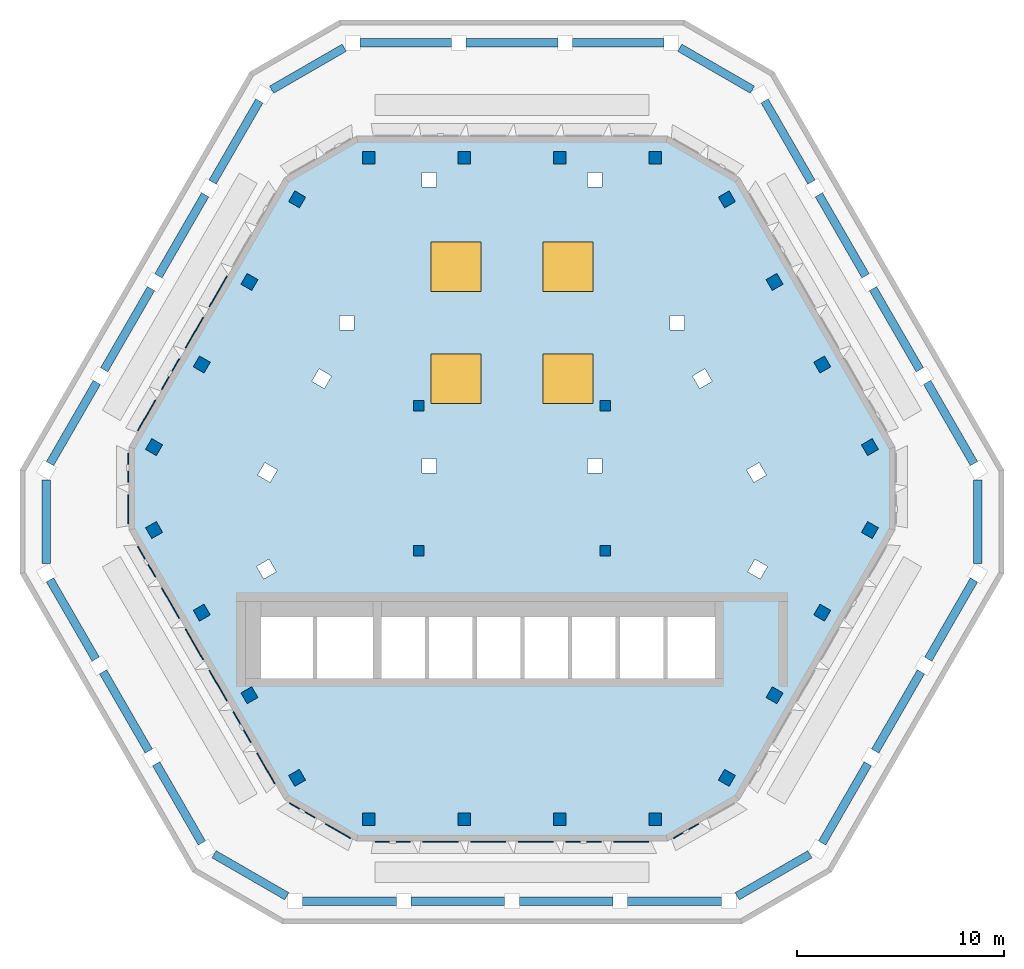
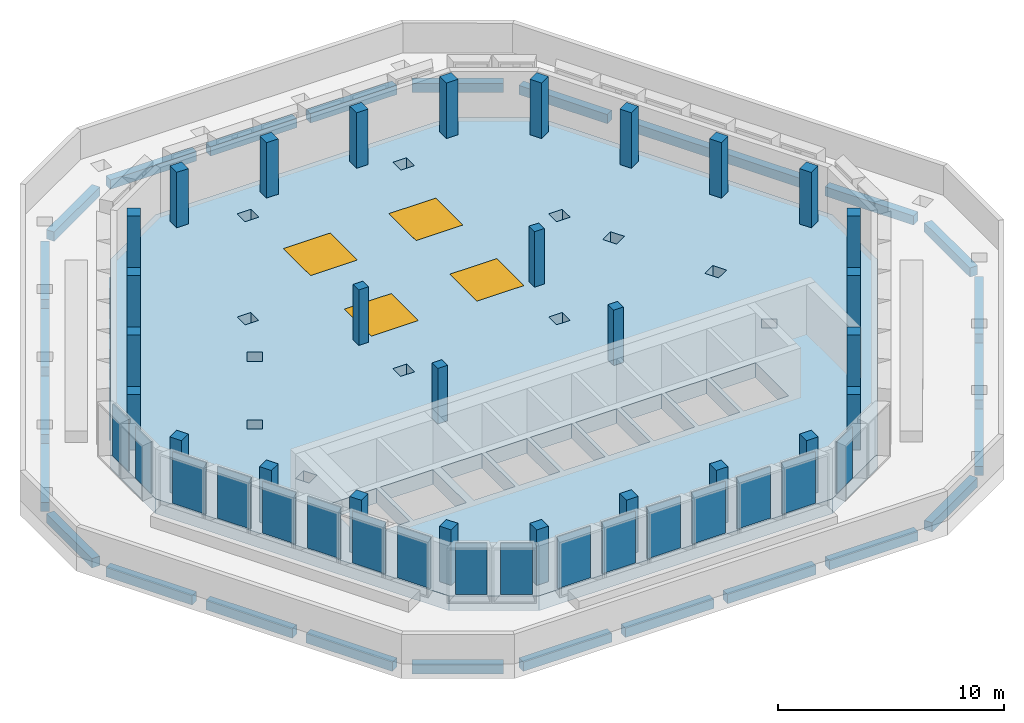
"""IFC4 building model written with IfcOpenShell, lengths in metres."""

from ifc_helpers import new_model, si_unit, direction, frame, origin, origin_2d, place, context, subcontext, project, spatial, polyline, rectangle, outline, extrude, source, transform, mapped, material, layer, layer_set, material_profile, profile_set, type_object, type_shapes, element, fill, save


model = new_model("IFC4")

# Units and contexts
model_context = context("Model", 3, precision=1e-05, world=origin(), true_north=direction((0.0, 1.0)))
body_context = subcontext(model_context, "Body", "Model", "MODEL_VIEW")
ifc_project = project(units=[si_unit("LENGTHUNIT", "METRE"), si_unit("AREAUNIT", "SQUARE_METRE"), si_unit("VOLUMEUNIT", "CUBIC_METRE"), si_unit("PLANEANGLEUNIT", "RADIAN"), si_unit("MASSUNIT", "GRAM", prefix="KILO")], contexts=[model_context])

# Site, building, storey
site_placement = place(None, origin())
site = spatial("IfcSite", under=ifc_project, at=site_placement, CompositionType="ELEMENT")
building_placement = place(site_placement, origin())
building = spatial("IfcBuilding", under=site, at=building_placement, Name="Beryl Residences", CompositionType="ELEMENT")
storey_1_placement = place(building_placement, frame((0.0, 0.0, 244.800048828125)))
storey_1 = spatial("IfcBuildingStorey", under=building, at=storey_1_placement, Name="L76", CompositionType="ELEMENT", Elevation=244.800048828125)

# Columns
ifc_material_1 = material(Name="Concrete C50/60", Category="concrete")
ifc_material_profile_1 = material_profile(ifc_material_1, rectangle(XDim=0.60009765625, YDim=0.60009765625, at=origin_2d()))
ifc_profile_set_1 = profile_set([ifc_material_profile_1], Name="Concrete C50/60")
column_type_1 = type_object("IfcColumnType", Name="C6 tube column 600 x 600 C50/60", PredefinedType="COLUMN", material=ifc_profile_set_1)
for number, where, z_axis, x_axis, name in (
    (1, (6.89990234375, 15.949951171875, 0.0), (0.0, 0.0, 1.0), (-1.0, 0.0, 0.0), "C6-N1 L76"),
    (2, (2.300048828125, 15.949951171875, 0.0), (0.0, 0.0, 1.0), (-1.0, 0.0, 0.0), "C6-N2 L76"),
    (3, (-2.300048828125, 15.949951171875, 0.0), (0.0, 0.0, 1.0), (-1.0, 0.0, 0.0), "C6-N3 L76"),
    (4, (-6.89990234375, 15.949951171875, 0.0), (0.0, 0.0, 1.0), (-1.0, 0.0, 0.0), "C6-N4 L76"),
    (5, (-10.364013671875, 13.949951171875, 0.0), (0.0, 0.0, 1.0), (-0.5, -0.866025403784, 0.0), "C6-NW1 L76"),
    (6, (-12.6640625, 9.967041015625, 0.0), (0.0, 0.0, 1.0), (-0.5, -0.866025403784, 0.0), "C6-NW2 L76"),
    (7, (-14.962890625, 5.98388671875, 0.0), (0.0, 0.0, 1.0), (-0.5, -0.866025403784, 0.0), "C6-NW3 L76"),
    (8, (-17.262939453125, 2.0009765625, 0.0), (0.0, 0.0, 1.0), (-0.5, -0.866025403784, 0.0), "C6-NW4 L76"),
    (9, (-17.262939453125, -2.0, 0.0), (0.0, 0.0, 1.0), (0.5, -0.866025403784, 0.0), "C6-SW1 L76"),
    (10, (-14.964111328125, -5.98291015625, 0.0), (0.0, 0.0, 1.0), (0.5, -0.866025403784, 0.0), "C6-SW2 L76"),
    (11, (-12.6640625, -9.966064453125, 0.0), (0.0, 0.0, 1.0), (0.5, -0.866025403784, 0.0), "C6-SW3 L76"),
    (12, (-10.364990234375, -13.948974609375, 0.0), (0.0, 0.0, 1.0), (0.5, -0.866025403784, 0.0), "C6-SW4 L76"),
    (13, (-6.89990234375, -15.949951171875, 0.0), (0.0, 0.0, 1.0), (1.0, 0.0, 0.0), "C6-S1 L76"),
    (14, (-2.300048828125, -15.949951171875, 0.0), (0.0, 0.0, 1.0), (1.0, 0.0, 0.0), "C6-S2 L76"),
    (15, (2.300048828125, -15.949951171875, 0.0), (0.0, 0.0, 1.0), (1.0, 0.0, 0.0), "C6-S3 L76"),
    (16, (6.89990234375, -15.949951171875, 0.0), (0.0, 0.0, 1.0), (1.0, 0.0, 0.0), "C6-S4 L76"),
    (17, (10.364013671875, -13.949951171875, 0.0), (0.0, 0.0, 1.0), (0.5, 0.866025403784, 0.0), "C6-SE1 L76"),
    (18, (12.6640625, -9.967041015625, 0.0), (0.0, 0.0, 1.0), (0.5, 0.866025403784, 0.0), "C6-SE2 L76"),
    (19, (14.962890625, -5.98388671875, 0.0), (0.0, 0.0, 1.0), (0.5, 0.866025403784, 0.0), "C6-SE3 L76"),
    (20, (17.262939453125, -2.0009765625, 0.0), (0.0, 0.0, 1.0), (0.5, 0.866025403784, 0.0), "C6-SE4 L76"),
    (21, (17.262939453125, 2.0, 0.0), (0.0, 0.0, 1.0), (-0.5, 0.866025403784, 0.0), "C6-NE1 L76"),
    (22, (14.964111328125, 5.98291015625, 0.0), (0.0, 0.0, 1.0), (-0.5, 0.866025403784, 0.0), "C6-NE2 L76"),
    (23, (12.6640625, 9.966064453125, 0.0), (0.0, 0.0, 1.0), (-0.5, 0.866025403784, 0.0), "C6-NE3 L76"),
    (24, (10.364990234375, 13.948974609375, 0.0), (0.0, 0.0, 1.0), (-0.5, 0.866025403784, 0.0), "C6-NE4 L76"),
):
    element("IfcColumn", number, at=place(storey_1_placement, frame(where, z_axis=z_axis, x_axis=x_axis)), inside=storey_1, type_object=column_type_1, Name=name, PredefinedType="COLUMN", context=body_context, shape_type="SweptSolid", body=[
        extrude(rectangle(XDim=0.60009765625, YDim=0.60009765625, at=origin_2d()), origin(), (0.0, 0.0, 1.0), 3.0),
    ])
ifc_material_2 = material(Name="Concrete C50/60", Category="concrete")
ifc_material_profile_2 = material_profile(ifc_material_2, rectangle(XDim=0.5, YDim=0.5, at=origin_2d()))
ifc_profile_set_2 = profile_set([ifc_material_profile_2], Name="Concrete C50/60")
column_type_2 = type_object("IfcColumnType", Name="IC6 interior column 500 x 500 C50/60", PredefinedType="COLUMN", material=ifc_profile_set_2)
for number, where, z_axis, x_axis, name in (
    (25, (-4.5, 4.0, 0.0), (0.0, 0.0, 1.0), (1.0, 0.0, 0.0), "IC6-K1 L76"),
    (26, (4.5, 4.0, 0.0), (0.0, 0.0, 1.0), (1.0, 0.0, 0.0), "IC6-K2 L76"),
    (27, (-4.5, -3.0, 0.0), (0.0, 0.0, 1.0), (1.0, 0.0, 0.0), "IC6-K3 L76"),
    (28, (4.5, -3.0, 0.0), (0.0, 0.0, 1.0), (1.0, 0.0, 0.0), "IC6-K4 L76"),
):
    element("IfcColumn", number, at=place(storey_1_placement, frame(where, z_axis=z_axis, x_axis=x_axis)), inside=storey_1, type_object=column_type_2, Name=name, PredefinedType="COLUMN", context=body_context, shape_type="SweptSolid", body=[
        extrude(rectangle(XDim=0.5, YDim=0.5, at=origin_2d()), origin(), (0.0, 0.0, 1.0), 3.0),
    ])

# Beams
ifc_material_3 = material(Name="Concrete C50/60", Category="concrete")
ifc_material_profile_3 = material_profile(ifc_material_3, rectangle(XDim=0.39990234375, YDim=0.5, at=origin_2d()))
ifc_profile_set_3 = profile_set([ifc_material_profile_3], Name="Concrete C50/60")
beam_type = type_object("IfcBeamType", Name="SB5 spandrel beam 400 x 500 C50/60", PredefinedType="SPANDREL", material=ifc_profile_set_3)
beam_1_placement = place(storey_1_placement, frame((7.3291015625, 21.5, -1.050048828125), z_axis=(-1.0, 0.0, 0.0), x_axis=(0.0, -1.0, 0.0)))
element("IfcBeam", 29, at=beam_1_placement, inside=storey_1, type_object=beam_type, Name="SB5 L76 N-0", PredefinedType="SPANDREL", context=body_context, shape_type="SweptSolid", body=[
    extrude(rectangle(XDim=0.39990234375, YDim=0.5, at=origin_2d()), origin(), (0.0, 0.0, 1.0), 4.419189453125),
])
for number, where, z_axis, x_axis, name in (
    (30, (2.2099609375, 21.5, -1.050048828125), (-1.0, 0.0, 0.0), (0.0, -1.0, 0.0), "SB5 L76 N-1"),
    (31, (-2.908935546875, 21.5, -1.050048828125), (-1.0, 0.0, 0.0), (0.0, -1.0, 0.0), "SB5 L76 N-2"),
):
    element("IfcBeam", number, at=place(storey_1_placement, frame(where, z_axis=z_axis, x_axis=x_axis)), inside=storey_1, type_object=beam_type, Name=name, PredefinedType="SPANDREL", context=body_context, shape_type="SweptSolid", body=[
        extrude(rectangle(XDim=0.39990234375, YDim=0.5, at=origin_2d()), origin(), (0.0, 0.0, 1.0), 4.4189453125),
    ])
beam_2_placement = place(storey_1_placement, frame((-8.092041015625, 21.260986328125, -1.050048828125), z_axis=(-0.866073013527, -0.499917528438, 0.0), x_axis=(0.499917528438, -0.866073013527, 0.0)))
element("IfcBeam", 32, at=beam_2_placement, inside=storey_1, type_object=beam_type, Name="SB5 L76 N-3", PredefinedType="SPANDREL", context=body_context, shape_type="SweptSolid", body=[
    extrude(rectangle(XDim=0.39990234375, YDim=0.5, at=origin_2d()), origin(), (0.0, 0.0, 1.0), 4.044677734375),
])
beam_3_placement = place(storey_1_placement, frame((-12.18408203125, 18.697021484375, -1.050048828125), z_axis=(-0.499893710643, -0.866086761277, 0.0), x_axis=(0.866086761277, -0.499893710643, 0.0)))
element("IfcBeam", 33, at=beam_3_placement, inside=storey_1, type_object=beam_type, Name="SB5 L76 NW-0", PredefinedType="SPANDREL", context=body_context, shape_type="SweptSolid", body=[
    extrude(rectangle(XDim=0.39990234375, YDim=0.5, at=origin_2d()), origin(), (0.0, 0.0, 1.0), 4.52490234375),
])
beam_4_placement = place(storey_1_placement, frame((-14.7958984375, 14.172119140625, -1.050048828125), z_axis=(-0.499910821401, -0.866076884951, 0.0), x_axis=(0.866076884951, -0.499910821401, 0.0)))
element("IfcBeam", 34, at=beam_4_placement, inside=storey_1, type_object=beam_type, Name="SB5 L76 NW-1", PredefinedType="SPANDREL", context=body_context, shape_type="SweptSolid", body=[
    extrude(rectangle(XDim=0.39990234375, YDim=0.5, at=origin_2d()), origin(), (0.0, 0.0, 1.0), 4.525146484375),
])
beam_5_placement = place(storey_1_placement, frame((-17.407958984375, 9.64697265625, -1.050048828125), z_axis=(-0.500055572588, -0.865993316558, 0.0), x_axis=(0.865993316558, -0.500055572588, 0.0)))
element("IfcBeam", 35, at=beam_5_placement, inside=storey_1, type_object=beam_type, Name="SB5 L76 NW-2", PredefinedType="SPANDREL", context=body_context, shape_type="SweptSolid", body=[
    extrude(rectangle(XDim=0.39990234375, YDim=0.5, at=origin_2d()), origin(), (0.0, 0.0, 1.0), 4.525390625),
])
beam_6_placement = place(storey_1_placement, frame((-20.02099609375, 5.1220703125, -1.050048828125), z_axis=(-0.499870351634, -0.866100243365, 0.0), x_axis=(0.866100243365, -0.499870351634, 0.0)))
element("IfcBeam", 36, at=beam_6_placement, inside=storey_1, type_object=beam_type, Name="SB5 L76 NW-3", PredefinedType="SPANDREL", context=body_context, shape_type="SweptSolid", body=[
    extrude(rectangle(XDim=0.39990234375, YDim=0.5, at=origin_2d()), origin(), (0.0, 0.0, 1.0), 4.525146484375),
])
beam_7_placement = place(storey_1_placement, frame((-22.4580078125, 0.422119140625, -1.050048828125), z_axis=(-0.000241472978, -0.999999970845, 0.0), x_axis=(0.999999970845, -0.000241472978, 0.0)))
element("IfcBeam", 37, at=beam_7_placement, inside=storey_1, type_object=beam_type, Name="SB5 L76 NW-4", PredefinedType="SPANDREL", context=body_context, shape_type="SweptSolid", body=[
    extrude(rectangle(XDim=0.39990234375, YDim=0.5, at=origin_2d()), origin(), (0.0, 0.0, 1.0), 4.044189453125),
])
beam_8_placement = place(storey_1_placement, frame((-22.283935546875, -4.403076171875, -1.050048828125), z_axis=(0.500084296963, -0.86597672944, 0.0), x_axis=(0.86597672944, 0.500084296963, 0.0)))
element("IfcBeam", 38, at=beam_8_placement, inside=storey_1, type_object=beam_type, Name="SB5 L76 SW-0", PredefinedType="SPANDREL", context=body_context, shape_type="SweptSolid", body=[
    extrude(rectangle(XDim=0.39990234375, YDim=0.5, at=origin_2d()), origin(), (0.0, 0.0, 1.0), 4.419189453125),
])
beam_9_placement = place(storey_1_placement, frame((-19.72412109375, -8.8359375, -1.050048828125), z_axis=(0.49993607075, -0.866062310208, 0.0), x_axis=(0.866062310208, 0.49993607075, 0.0)))
element("IfcBeam", 39, at=beam_9_placement, inside=storey_1, type_object=beam_type, Name="SB5 L76 SW-1", PredefinedType="SPANDREL", context=body_context, shape_type="SweptSolid", body=[
    extrude(rectangle(XDim=0.39990234375, YDim=0.5, at=origin_2d()), origin(), (0.0, 0.0, 1.0), 4.4189453125),
])
beam_10_placement = place(storey_1_placement, frame((-17.1650390625, -13.26904296875, -1.050048828125), z_axis=(0.499918550948, -0.86607242331, 0.0), x_axis=(0.86607242331, 0.499918550948, 0.0)))
element("IfcBeam", 40, at=beam_10_placement, inside=storey_1, type_object=beam_type, Name="SB5 L76 SW-2", PredefinedType="SPANDREL", context=body_context, shape_type="SweptSolid", body=[
    extrude(rectangle(XDim=0.39990234375, YDim=0.5, at=origin_2d()), origin(), (0.0, 0.0, 1.0), 4.418701171875),
])
beam_11_placement = place(storey_1_placement, frame((-14.366943359375, -17.637939453125, -1.050048828125), z_axis=(0.865968468779, -0.500098601359, 0.0), x_axis=(0.500098601359, 0.865968468779, 0.0)))
element("IfcBeam", 41, at=beam_11_placement, inside=storey_1, type_object=beam_type, Name="SB5 L76 SW-3", PredefinedType="SPANDREL", context=body_context, shape_type="SweptSolid", body=[
    extrude(rectangle(XDim=0.39990234375, YDim=0.5, at=origin_2d()), origin(), (0.0, 0.0, 1.0), 4.045166015625),
])
beam_12_placement = place(storey_1_placement, frame((-10.10009765625, -19.89990234375, -1.050048828125), z_axis=(1.0, 0.0, 0.0), x_axis=(0.0, 1.0, 0.0)))
element("IfcBeam", 42, at=beam_12_placement, inside=storey_1, type_object=beam_type, Name="SB5 L76 S-0", PredefinedType="SPANDREL", context=body_context, shape_type="SweptSolid", body=[
    extrude(rectangle(XDim=0.39990234375, YDim=0.5, at=origin_2d()), origin(), (0.0, 0.0, 1.0), 4.525146484375),
])
for number, where, z_axis, x_axis, name in (
    (43, (-4.875, -19.89990234375, -1.050048828125), (1.0, 0.0, 0.0), (0.0, 1.0, 0.0), "SB5 L76 S-1"),
    (44, (0.35009765625, -19.89990234375, -1.050048828125), (1.0, 0.0, 0.0), (0.0, 1.0, 0.0), "SB5 L76 S-2"),
):
    element("IfcBeam", number, at=place(storey_1_placement, frame(where, z_axis=z_axis, x_axis=x_axis)), inside=storey_1, type_object=beam_type, Name=name, PredefinedType="SPANDREL", context=body_context, shape_type="SweptSolid", body=[
        extrude(rectangle(XDim=0.39990234375, YDim=0.5, at=origin_2d()), origin(), (0.0, 0.0, 1.0), 4.52490234375),
    ])
beam_13_placement = place(storey_1_placement, frame((5.574951171875, -19.89990234375, -1.050048828125), z_axis=(1.0, 0.0, 0.0), x_axis=(0.0, 1.0, 0.0)))
element("IfcBeam", 45, at=beam_13_placement, inside=storey_1, type_object=beam_type, Name="SB5 L76 S-3", PredefinedType="SPANDREL", context=body_context, shape_type="SweptSolid", body=[
    extrude(rectangle(XDim=0.39990234375, YDim=0.5, at=origin_2d()), origin(), (0.0, 0.0, 1.0), 4.525146484375),
])
beam_14_placement = place(storey_1_placement, frame((10.864013671875, -19.660888671875, -1.050048828125), z_axis=(0.866012652573, 0.500022085096, 0.0), x_axis=(-0.500022085096, 0.866012652573, 0.0)))
element("IfcBeam", 46, at=beam_14_placement, inside=storey_1, type_object=beam_type, Name="SB5 L76 S-4", PredefinedType="SPANDREL", context=body_context, shape_type="SweptSolid", body=[
    extrude(rectangle(XDim=0.39990234375, YDim=0.5, at=origin_2d()), origin(), (0.0, 0.0, 1.0), 4.043701171875),
])
beam_15_placement = place(storey_1_placement, frame((14.955078125, -17.096923828125, -1.050048828125), z_axis=(0.499918550948, 0.86607242331, 0.0), x_axis=(-0.86607242331, 0.499918550948, 0.0)))
element("IfcBeam", 47, at=beam_15_placement, inside=storey_1, type_object=beam_type, Name="SB5 L76 SE-0", PredefinedType="SPANDREL", context=body_context, shape_type="SweptSolid", body=[
    extrude(rectangle(XDim=0.39990234375, YDim=0.5, at=origin_2d()), origin(), (0.0, 0.0, 1.0), 4.418701171875),
])
beam_16_placement = place(storey_1_placement, frame((17.513916015625, -12.6640625, -1.050048828125), z_axis=(0.500101800387, 0.865966621326, 0.0), x_axis=(-0.865966621326, 0.500101800387, 0.0)))
element("IfcBeam", 48, at=beam_16_placement, inside=storey_1, type_object=beam_type, Name="SB5 L76 SE-1", PredefinedType="SPANDREL", context=body_context, shape_type="SweptSolid", body=[
    extrude(rectangle(XDim=0.39990234375, YDim=0.5, at=origin_2d()), origin(), (0.0, 0.0, 1.0), 4.41943359375),
])
beam_17_placement = place(storey_1_placement, frame((20.073974609375, -8.23095703125, -1.050048828125), z_axis=(0.499918550948, 0.86607242331, 0.0), x_axis=(-0.86607242331, 0.499918550948, 0.0)))
element("IfcBeam", 49, at=beam_17_placement, inside=storey_1, type_object=beam_type, Name="SB5 L76 SE-2", PredefinedType="SPANDREL", context=body_context, shape_type="SweptSolid", body=[
    extrude(rectangle(XDim=0.39990234375, YDim=0.5, at=origin_2d()), origin(), (0.0, 0.0, 1.0), 4.418701171875),
])
beam_18_placement = place(storey_1_placement, frame((22.4580078125, -3.623046875, -1.050048828125), z_axis=(0.0, 1.0, 0.0), x_axis=(-1.0, 0.0, 0.0)))
element("IfcBeam", 50, at=beam_18_placement, inside=storey_1, type_object=beam_type, Name="SB5 L76 SE-3", PredefinedType="SPANDREL", context=body_context, shape_type="SweptSolid", body=[
    extrude(rectangle(XDim=0.39990234375, YDim=0.5, at=origin_2d()), origin(), (0.0, 0.0, 1.0), 4.045166015625),
])
beam_19_placement = place(storey_1_placement, frame((22.282958984375, 1.202880859375, -1.050048828125), z_axis=(-0.499870351634, 0.866100243365, 0.0), x_axis=(-0.866100243365, -0.499870351634, 0.0)))
element("IfcBeam", 51, at=beam_19_placement, inside=storey_1, type_object=beam_type, Name="SB5 L76 NE-0", PredefinedType="SPANDREL", context=body_context, shape_type="SweptSolid", body=[
    extrude(rectangle(XDim=0.39990234375, YDim=0.5, at=origin_2d()), origin(), (0.0, 0.0, 1.0), 4.525146484375),
])
beam_20_placement = place(storey_1_placement, frame((19.6708984375, 5.72802734375, -1.050048828125), z_axis=(-0.500055572588, 0.865993316558, 0.0), x_axis=(-0.865993316558, -0.500055572588, 0.0)))
element("IfcBeam", 52, at=beam_20_placement, inside=storey_1, type_object=beam_type, Name="SB5 L76 NE-1", PredefinedType="SPANDREL", context=body_context, shape_type="SweptSolid", body=[
    extrude(rectangle(XDim=0.39990234375, YDim=0.5, at=origin_2d()), origin(), (0.0, 0.0, 1.0), 4.525390625),
])
beam_21_placement = place(storey_1_placement, frame((17.05810546875, 10.2529296875, -1.050048828125), z_axis=(-0.499910821401, 0.866076884951, 0.0), x_axis=(-0.866076884951, -0.499910821401, 0.0)))
element("IfcBeam", 53, at=beam_21_placement, inside=storey_1, type_object=beam_type, Name="SB5 L76 NE-2", PredefinedType="SPANDREL", context=body_context, shape_type="SweptSolid", body=[
    extrude(rectangle(XDim=0.39990234375, YDim=0.5, at=origin_2d()), origin(), (0.0, 0.0, 1.0), 4.525146484375),
])
beam_22_placement = place(storey_1_placement, frame((14.446044921875, 14.778076171875, -1.050048828125), z_axis=(-0.499893710643, 0.866086761277, 0.0), x_axis=(-0.866086761277, -0.499893710643, 0.0)))
element("IfcBeam", 54, at=beam_22_placement, inside=storey_1, type_object=beam_type, Name="SB5 L76 NE-3", PredefinedType="SPANDREL", context=body_context, shape_type="SweptSolid", body=[
    extrude(rectangle(XDim=0.39990234375, YDim=0.5, at=origin_2d()), origin(), (0.0, 0.0, 1.0), 4.52490234375),
])
beam_23_placement = place(storey_1_placement, frame((11.594970703125, 19.239013671875, -1.050048828125), z_axis=(-0.866012652573, 0.500022085096, 0.0), x_axis=(-0.500022085096, -0.866012652573, 0.0)))
element("IfcBeam", 55, at=beam_23_placement, inside=storey_1, type_object=beam_type, Name="SB5 L76 NE-4", PredefinedType="SPANDREL", context=body_context, shape_type="SweptSolid", body=[
    extrude(rectangle(XDim=0.39990234375, YDim=0.5, at=origin_2d()), origin(), (0.0, 0.0, 1.0), 4.043701171875),
])

# Plates
ifc_material_4 = material(Name="Aluminium louvres", Category="aluminium")
ifc_layer_1 = layer(ifc_material_4, 0.050048828125)
ifc_layer_set_1 = layer_set([ifc_layer_1], Name="LV140 louvre panel 1400 x 2800 mm")
plate_type_1 = type_object("IfcPlateType", Name="LV140 louvre panel 1400 x 2800 mm", PredefinedType="SHEET", material=ifc_layer_set_1)
shared_shape_1 = source(origin(), body_context, "Body", "SweptSolid", [
    extrude(outline(polyline([(-0.699951171875, 0.0), (0.699951171875, 0.0), (0.699951171875, 0.050048828125), (-0.699951171875, 0.050048828125), (-0.699951171875, 0.0)])), origin(), (0.0, 0.0, 1.0), 2.800048828125),
])
type_shapes(plate_type_1, [shared_shape_1])
for number, where, z_axis, x_axis, name in (
    (56, (-18.47509765625, 1.0, 0.099853515625), (0.0, 0.0, 1.0), (0.0, 1.0, 0.0), "LV140 louvre cell L76 NW-SW 1"),
    (57, (-18.47509765625, -1.0, 0.099853515625), (0.0, 0.0, 1.0), (0.0, 1.0, 0.0), "LV140 louvre cell L76 NW-SW 2"),
    (58, (-10.10400390625, -15.5, 0.099853515625), (0.0, 0.0, 1.0), (-0.866025403784, 0.5, 0.0), "LV140 louvre cell L76 SW-S 1"),
    (59, (-8.3720703125, -16.5, 0.099853515625), (0.0, 0.0, 1.0), (-0.866025403784, 0.5, 0.0), "LV140 louvre cell L76 SW-S 2"),
    (60, (8.3720703125, -16.5, 0.099853515625), (0.0, 0.0, 1.0), (-0.866025403784, -0.5, 0.0), "LV140 louvre cell L76 S-SE 1"),
):
    element("IfcPlate", number, at=place(storey_1_placement, frame(where, z_axis=z_axis, x_axis=x_axis)), inside=storey_1, type_object=plate_type_1, Name=name, PredefinedType="SHEET", context=body_context, shape_type="MappedRepresentation", body=[
        mapped(shared_shape_1, transform((0.0, 0.0, 0.0))),
    ])
ifc_material_5 = material(Name="Aluminium louvres", Category="aluminium")
ifc_layer_2 = layer(ifc_material_5, 0.050048828125)
ifc_layer_set_2 = layer_set([ifc_layer_2], Name="LV170 louvre panel 1700 x 2800 mm")
plate_type_2 = type_object("IfcPlateType", Name="LV170 louvre panel 1700 x 2800 mm", PredefinedType="SHEET", material=ifc_layer_set_2)
shared_shape_2 = source(origin(), body_context, "Body", "SweptSolid", [
    extrude(outline(polyline([(-0.85009765625, 0.0), (0.85009765625, 0.0), (0.85009765625, 0.050048828125), (-0.85009765625, 0.050048828125), (-0.85009765625, 0.0)])), origin(), (0.0, 0.0, 1.0), 2.800048828125),
])
type_shapes(plate_type_2, [shared_shape_2])
for number, where, z_axis, x_axis, name in (
    (61, (-14.14794921875, 9.49609375, 0.099853515625), (0.0, 0.0, 1.0), (0.5, 0.866025403784, 0.0), "LV170 louvre cell L76 NW 3"),
    (62, (-15.298095703125, 7.5048828125, 0.099853515625), (0.0, 0.0, 1.0), (0.5, 0.866025403784, 0.0), "LV170 louvre cell L76 NW 4"),
    (63, (-16.447021484375, 5.512939453125, 0.099853515625), (0.0, 0.0, 1.0), (0.5, 0.866025403784, 0.0), "LV170 louvre cell L76 NW 5"),
    (64, (-17.596923828125, 3.52197265625, 0.099853515625), (0.0, 0.0, 1.0), (0.5, 0.866025403784, 0.0), "LV170 louvre cell L76 NW 6"),
    (65, (-17.597900390625, -3.52099609375, 0.099853515625), (0.0, 0.0, 1.0), (-0.5, 0.866025403784, 0.0), "LV170 louvre cell L76 SW 1"),
    (66, (-16.447998046875, -5.511962890625, 0.099853515625), (0.0, 0.0, 1.0), (-0.5, 0.866025403784, 0.0), "LV170 louvre cell L76 SW 2"),
    (67, (-15.298095703125, -7.50390625, 0.099853515625), (0.0, 0.0, 1.0), (-0.5, 0.866025403784, 0.0), "LV170 louvre cell L76 SW 3"),
    (68, (-14.14794921875, -9.4951171875, 0.099853515625), (0.0, 0.0, 1.0), (-0.5, 0.866025403784, 0.0), "LV170 louvre cell L76 SW 4"),
    (69, (-12.9990234375, -11.487060546875, 0.099853515625), (0.0, 0.0, 1.0), (-0.5, 0.866025403784, 0.0), "LV170 louvre cell L76 SW 5"),
    (70, (-11.84912109375, -13.47802734375, 0.099853515625), (0.0, 0.0, 1.0), (-0.5, 0.866025403784, 0.0), "LV170 louvre cell L76 SW 6"),
    (71, (-5.75, -17.0, 0.099853515625), (0.0, 0.0, 1.0), (-1.0, 0.0, 0.0), "LV170 louvre cell L76 S 1"),
    (72, (-3.449951171875, -17.0, 0.099853515625), (0.0, 0.0, 1.0), (-1.0, 0.0, 0.0), "LV170 louvre cell L76 S 2"),
    (73, (-1.14990234375, -17.0, 0.099853515625), (0.0, 0.0, 1.0), (-1.0, 0.0, 0.0), "LV170 louvre cell L76 S 3"),
    (74, (1.14990234375, -17.0, 0.099853515625), (0.0, 0.0, 1.0), (-1.0, 0.0, 0.0), "LV170 louvre cell L76 S 4"),
    (75, (3.449951171875, -17.0, 0.099853515625), (0.0, 0.0, 1.0), (-1.0, 0.0, 0.0), "LV170 louvre cell L76 S 5"),
    (76, (5.75, -17.0, 0.099853515625), (0.0, 0.0, 1.0), (-1.0, 0.0, 0.0), "LV170 louvre cell L76 S 6"),
):
    element("IfcPlate", number, at=place(storey_1_placement, frame(where, z_axis=z_axis, x_axis=x_axis)), inside=storey_1, type_object=plate_type_2, Name=name, PredefinedType="SHEET", context=body_context, shape_type="MappedRepresentation", body=[
        mapped(shared_shape_2, transform((0.0, 0.0, 0.0))),
    ])

# Slab, openings
ifc_material_6 = material(Name="Concrete C60/75", Category="concrete")
ifc_layer_3 = layer(ifc_material_6, 0.800048828125)
ifc_layer_set_3 = layer_set([ifc_layer_3], Name="SL12 transfer plate 800 mm C60/75")
slab_type = type_object("IfcSlabType", Name="SL12 transfer plate 800 mm C60/75", PredefinedType="ROOF", material=ifc_layer_set_3)
slab_placement = place(storey_1_placement, frame((0.0, 0.0, -0.800048828125)))
slab = element("IfcSlab", 77, at=slab_placement, inside=storey_1, type_object=slab_type, Name="L76 slab 1", PredefinedType="ROOF", context=body_context, shape_type="SweptSolid", body=[
    extrude(outline(polyline([(18.47509765625, 2.0), (18.47509765625, -2.0), (10.969970703125, -15.0), (7.506103515625, -17.0), (-7.506103515625, -17.0), (-10.969970703125, -15.0), (-18.47509765625, -2.0), (-18.47509765625, 2.0), (-10.969970703125, 15.0), (-7.506103515625, 17.0), (7.506103515625, 17.0), (10.969970703125, 15.0), (18.47509765625, 2.0)]), holes=[polyline([(12.322998046875, -3.756103515625), (11.717041015625, -3.406005859375), (11.366943359375, -4.011962890625), (11.972900390625, -4.362060546875), (12.322998046875, -3.756103515625)]), polyline([(11.919921875, 1.2529296875), (11.31396484375, 0.903076171875), (11.6640625, 0.297119140625), (12.27001953125, 0.64697265625), (11.919921875, 1.2529296875)]), polyline([(7.5, -9.14990234375), (9.800048828125, -9.14990234375), (9.800048828125, -6.199951171875), (7.5, -6.199951171875), (7.5, -9.14990234375)]), polyline([(9.306884765625, 5.778076171875), (8.700927734375, 5.427978515625), (9.051025390625, 4.822021484375), (9.656982421875, 5.172119140625), (9.306884765625, 5.778076171875)]), polyline([(7.616943359375, 7.64990234375), (8.31689453125, 7.64990234375), (8.31689453125, 8.35009765625), (7.616943359375, 8.35009765625), (7.616943359375, 7.64990234375)]), polyline([(5.199951171875, -9.14990234375), (7.300048828125, -9.14990234375), (7.300048828125, -6.199951171875), (5.199951171875, -6.199951171875), (5.199951171875, -9.14990234375)]), polyline([(5.0, -9.14990234375), (5.0, -6.199951171875), (2.89990234375, -6.199951171875), (2.89990234375, -9.14990234375), (5.0, -9.14990234375)]), polyline([(4.333984375, 14.550048828125), (4.333984375, 15.25), (3.634033203125, 15.25), (3.634033203125, 14.550048828125), (4.333984375, 14.550048828125)]), polyline([(4.333984375, 0.75), (4.333984375, 1.449951171875), (3.634033203125, 1.449951171875), (3.634033203125, 0.75), (4.333984375, 0.75)]), polyline([(2.699951171875, -9.14990234375), (2.699951171875, -6.199951171875), (0.60009765625, -6.199951171875), (0.60009765625, -9.14990234375), (2.699951171875, -9.14990234375)]), polyline([(0.39990234375, -6.199951171875), (-1.699951171875, -6.199951171875), (-1.699951171875, -9.14990234375), (0.39990234375, -9.14990234375), (0.39990234375, -6.199951171875)]), polyline([(-1.89990234375, -9.14990234375), (-1.89990234375, -6.199951171875), (-4.0, -6.199951171875), (-4.0, -9.14990234375), (-1.89990234375, -9.14990234375)]), polyline([(-3.634033203125, 15.25), (-4.333984375, 15.25), (-4.333984375, 14.550048828125), (-3.634033203125, 14.550048828125), (-3.634033203125, 15.25)]), polyline([(-3.634033203125, 0.75), (-3.634033203125, 1.449951171875), (-4.333984375, 1.449951171875), (-4.333984375, 0.75), (-3.634033203125, 0.75)]), polyline([(-4.199951171875, -9.14990234375), (-4.199951171875, -6.199951171875), (-6.300048828125, -6.199951171875), (-6.300048828125, -9.14990234375), (-4.199951171875, -9.14990234375)]), polyline([(-6.699951171875, -9.14990234375), (-6.699951171875, -6.199951171875), (-9.39990234375, -6.199951171875), (-9.39990234375, -9.14990234375), (-6.699951171875, -9.14990234375)]), polyline([(-7.616943359375, 7.64990234375), (-7.616943359375, 8.35009765625), (-8.31689453125, 8.35009765625), (-8.31689453125, 7.64990234375), (-7.616943359375, 7.64990234375)]), polyline([(-9.656982421875, 5.172119140625), (-9.051025390625, 4.822021484375), (-8.700927734375, 5.427978515625), (-9.306884765625, 5.778076171875), (-9.656982421875, 5.172119140625)]), polyline([(-9.60009765625, -9.14990234375), (-9.60009765625, -6.199951171875), (-12.10009765625, -6.199951171875), (-12.10009765625, -9.14990234375), (-9.60009765625, -9.14990234375)]), polyline([(-11.919921875, 1.2529296875), (-12.27001953125, 0.64697265625), (-11.6640625, 0.297119140625), (-11.31396484375, 0.903076171875), (-11.919921875, 1.2529296875)]), polyline([(-12.322998046875, -3.7548828125), (-11.972900390625, -4.361083984375), (-11.366943359375, -4.010986328125), (-11.717041015625, -3.405029296875), (-12.322998046875, -3.7548828125)])]), origin(), (0.0, 0.0, 1.0), 0.800048828125),
])
opening_1_placement = place(slab_placement, frame((-2.699951171875, 5.300048828125, 0.0)))
opening_1 = element("IfcOpeningElement", 78, at=opening_1_placement, cuts=slab, Name="Opening SK1", PredefinedType="OPENING", context=body_context, shape_type="SweptSolid", body=[
    extrude(rectangle(XDim=2.39990234375, YDim=2.39990234375, at=origin_2d()), origin(), (0.0, 0.0, 1.0), 0.800048828125),
])
opening_2_placement = place(slab_placement, frame((-2.699951171875, 10.699951171875, 0.0)))
opening_2 = element("IfcOpeningElement", 79, at=opening_2_placement, cuts=slab, Name="Opening SK1", PredefinedType="OPENING", context=body_context, shape_type="SweptSolid", body=[
    extrude(rectangle(XDim=2.39990234375, YDim=2.39990234375, at=origin_2d()), origin(), (0.0, 0.0, 1.0), 0.800048828125),
])
opening_3_placement = place(slab_placement, frame((2.699951171875, 5.300048828125, 0.0)))
opening_3 = element("IfcOpeningElement", 80, at=opening_3_placement, cuts=slab, Name="Opening SK1", PredefinedType="OPENING", context=body_context, shape_type="SweptSolid", body=[
    extrude(rectangle(XDim=2.39990234375, YDim=2.39990234375, at=origin_2d()), origin(), (0.0, 0.0, 1.0), 0.800048828125),
])
opening_4_placement = place(slab_placement, frame((2.699951171875, 10.699951171875, 0.0)))
opening_4 = element("IfcOpeningElement", 81, at=opening_4_placement, cuts=slab, Name="Opening SK1", PredefinedType="OPENING", context=body_context, shape_type="SweptSolid", body=[
    extrude(rectangle(XDim=2.39990234375, YDim=2.39990234375, at=origin_2d()), origin(), (0.0, 0.0, 1.0), 0.800048828125),
])

# Storey
storey_2_placement = place(building_placement, frame((0.0, 0.0, 241.800048828125)))
storey_2 = spatial("IfcBuildingStorey", under=building, at=storey_2_placement, Name="L75", CompositionType="ELEMENT", Elevation=241.800048828125)

# Window
ifc_material_7 = material(Name="Fire-resisting laminated glass in aluminium frame", Category="aluminium")
window_type = type_object("IfcWindowType", Name="SK1 atrium rooflight 2400 x 2400 mm", PartitioningType="SINGLE_PANEL", PredefinedType="SKYLIGHT", material=ifc_material_7)
window_1_placement = place(opening_1_placement, frame((0.0, 0.0, 0.75)))
window_1 = element("IfcWindow", 82, at=window_1_placement, inside=storey_2, type_object=window_type, Name="SK1 atrium rooflight L76 1", OverallHeight=2.39990234375, OverallWidth=2.39990234375, PartitioningType="SINGLE_PANEL", PredefinedType="SKYLIGHT", context=body_context, shape_type="SweptSolid", body=[
    extrude(rectangle(XDim=2.39990234375, YDim=2.39990234375, at=origin_2d()), origin(), (0.0, 0.0, 1.0), 0.050048828125),
])

fill(opening_1, window_1)

window_2_placement = place(opening_2_placement, frame((0.0, 0.0, 0.75)))
window_2 = element("IfcWindow", 83, at=window_2_placement, inside=storey_2, type_object=window_type, Name="SK1 atrium rooflight L76 2", OverallHeight=2.39990234375, OverallWidth=2.39990234375, PartitioningType="SINGLE_PANEL", PredefinedType="SKYLIGHT", context=body_context, shape_type="SweptSolid", body=[
    extrude(rectangle(XDim=2.39990234375, YDim=2.39990234375, at=origin_2d()), origin(), (0.0, 0.0, 1.0), 0.050048828125),
])

fill(opening_2, window_2)

window_3_placement = place(opening_3_placement, frame((0.0, 0.0, 0.75)))
window_3 = element("IfcWindow", 84, at=window_3_placement, inside=storey_2, type_object=window_type, Name="SK1 atrium rooflight L76 3", OverallHeight=2.39990234375, OverallWidth=2.39990234375, PartitioningType="SINGLE_PANEL", PredefinedType="SKYLIGHT", context=body_context, shape_type="SweptSolid", body=[
    extrude(rectangle(XDim=2.39990234375, YDim=2.39990234375, at=origin_2d()), origin(), (0.0, 0.0, 1.0), 0.050048828125),
])

fill(opening_3, window_3)

window_4_placement = place(opening_4_placement, frame((0.0, 0.0, 0.75)))
window_4 = element("IfcWindow", 85, at=window_4_placement, inside=storey_2, type_object=window_type, Name="SK1 atrium rooflight L76 4", OverallHeight=2.39990234375, OverallWidth=2.39990234375, PartitioningType="SINGLE_PANEL", PredefinedType="SKYLIGHT", context=body_context, shape_type="SweptSolid", body=[
    extrude(rectangle(XDim=2.39990234375, YDim=2.39990234375, at=origin_2d()), origin(), (0.0, 0.0, 1.0), 0.050048828125),
])

fill(opening_4, window_4)

save(model, "model.ifc")
